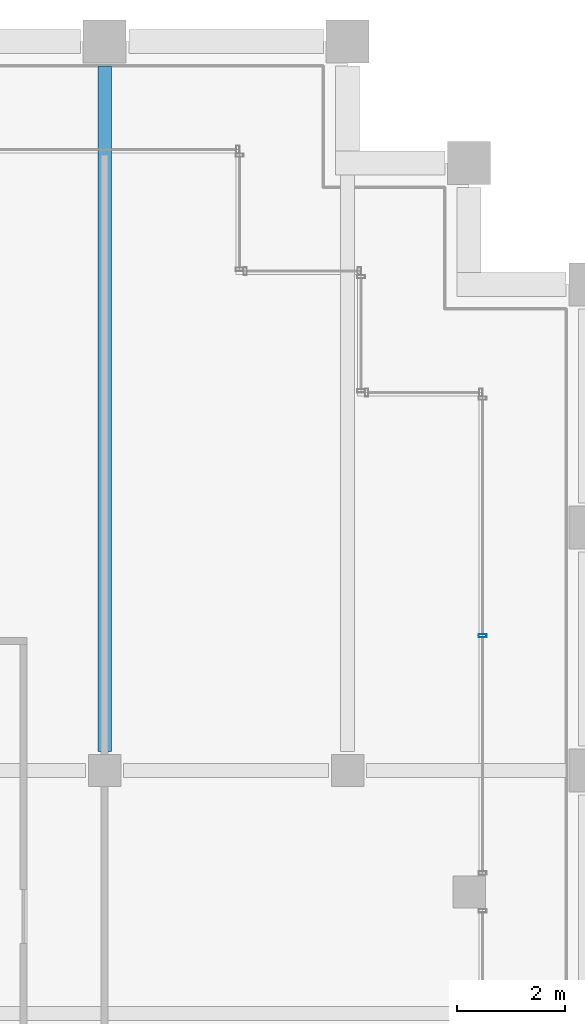
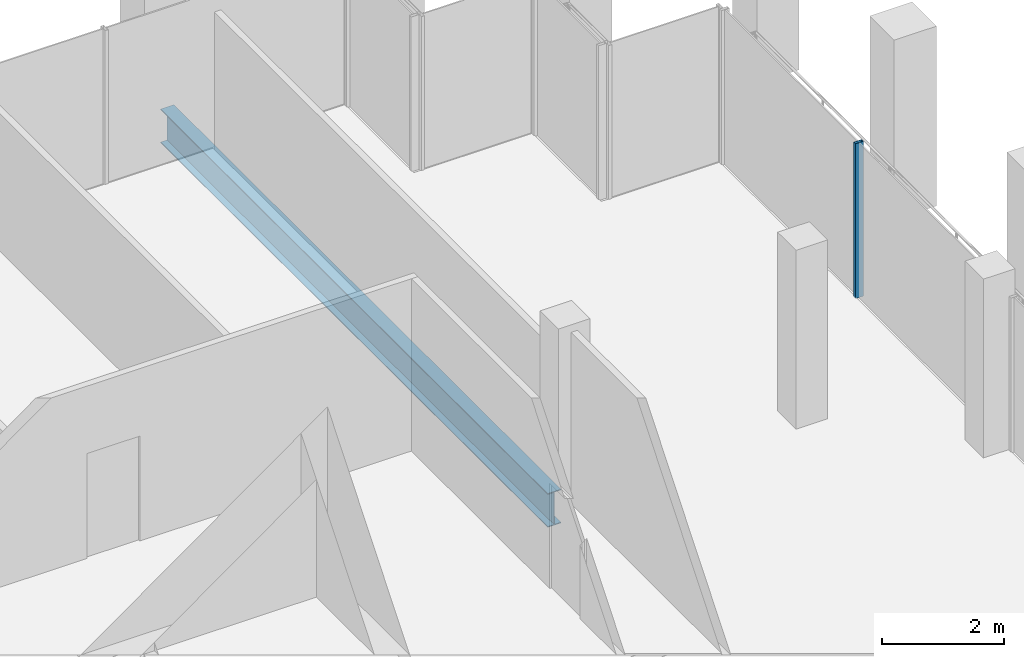
# One storey, part 24 of 40: 1 beam, 1 member, 1 element without a shape of its own.
"""IFC4 building model written with IfcOpenShell, lengths in metres."""

from ifc_helpers import new_model, si_unit, direction, frame, origin, origin_2d, place, context, subcontext, project, spatial, hollow_rectangle, i_section, extrude, material, material_profile, profile_set, type_object, element, aggregate, save


model = new_model("IFC4")

# Units and contexts
model_context = context("Model", 3, precision=1e-05, world=origin(), true_north=direction((0.0, 1.0)))
body_context = subcontext(model_context, "Body", "Model", "MODEL_VIEW")
ifc_project = project(units=[si_unit("LENGTHUNIT", "METRE"), si_unit("AREAUNIT", "SQUARE_METRE"), si_unit("VOLUMEUNIT", "CUBIC_METRE"), si_unit("PLANEANGLEUNIT", "RADIAN"), si_unit("MASSUNIT", "GRAM", prefix="KILO")], contexts=[model_context])

# Site, building, storey
site_placement = place(None, origin())
site = spatial("IfcSite", under=ifc_project, at=site_placement, CompositionType="ELEMENT")
building_placement = place(site_placement, origin())
building = spatial("IfcBuilding", under=site, at=building_placement, Name="Altepetl Exchange Towers", CompositionType="ELEMENT")
storey_placement = place(building_placement, frame((0.0, 0.0, 195.60009765625)))
storey = spatial("IfcBuildingStorey", under=building, at=storey_placement, Name="L49", CompositionType="ELEMENT", Elevation=195.60009765625)

# Beam
ifc_material_1 = material(Name="Steel S355", Category="steel")
ifc_material_profile_1 = material_profile(ifc_material_1, i_section(OverallWidth=0.2529296875, OverallDepth=0.677978515625, WebThickness=0.01171875, FlangeThickness=0.016357421875, at=origin_2d()), Name="W27X84")
ifc_profile_set_1 = profile_set([ifc_material_profile_1], Name="Steel S355")
beam_type = type_object("IfcBeamType", Name="Floor beam W27X84", PredefinedType="BEAM", material=ifc_profile_set_1)
beam_placement = place(storey_placement, frame((63.0, 58.85009765625, -0.489013671875), z_axis=(0.0, 1.0, 0.0), x_axis=(-1.0, 0.0, 0.0)))
element("IfcBeam", 1, at=beam_placement, inside=storey, type_object=beam_type, Name="bm:A:L49:004", PredefinedType="BEAM", context=body_context, shape_type="SweptSolid", body=[
    extrude(i_section(OverallWidth=0.2529296875, OverallDepth=0.677978515625, WebThickness=0.01171875, FlangeThickness=0.016357421875, at=origin_2d()), origin(), (0.0, 0.0, 1.0), 12.699951171875),
])

# Curtain wall, member
ifc_material_2 = material(Name="Aluminium 6063-T6 glazing", Category="aluminium")
curtain_wall_type = type_object("IfcCurtainWallType", Name="Loggia glazing system", PredefinedType="NOTDEFINED", material=ifc_material_2)
curtain_wall_placement = place(storey_placement, origin())
curtain_wall = element("IfcCurtainWall", 2, at=curtain_wall_placement, inside=storey, type_object=curtain_wall_type, Name="CW1 run", PredefinedType="NOTDEFINED")
ifc_material_3 = material(Name="Aluminium 6063-T6", Category="aluminium")
ifc_material_profile_2 = material_profile(ifc_material_3, hollow_rectangle(XDim=0.06005859375, YDim=0.14990234375, WallThickness=0.0029296875, at=origin_2d()), Name="Mullion 60x150 aluminium")
ifc_profile_set_2 = profile_set([ifc_material_profile_2], Name="Aluminium 6063-T6")
member_type = type_object("IfcMemberType", Name="Mullion 60x150 aluminium", PredefinedType="MULLION", material=ifc_profile_set_2)
member_placement = place(storey_placement, frame((70.0, 60.99755859375, 0.0), z_axis=(0.0, 0.0, 1.0), x_axis=(0.0, 1.0, 0.0)))
member = element("IfcMember", 3, at=member_placement, type_object=member_type, Name="MU1 mullion", PredefinedType="MULLION", context=body_context, shape_type="SweptSolid", body=[
    extrude(hollow_rectangle(XDim=0.06005859375, YDim=0.14990234375, WallThickness=0.0029296875, at=origin_2d()), origin(), (0.0, 0.0, 1.0), 3.099853515625),
])
aggregate(curtain_wall, [member])

save(model, "model.ifc")
